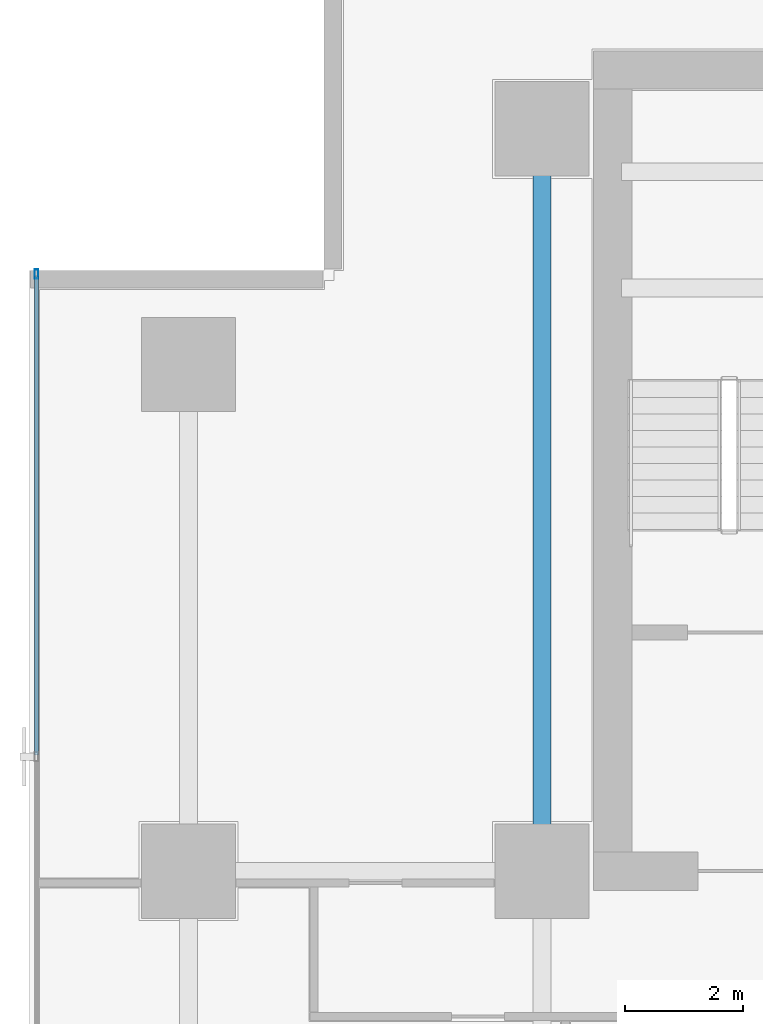
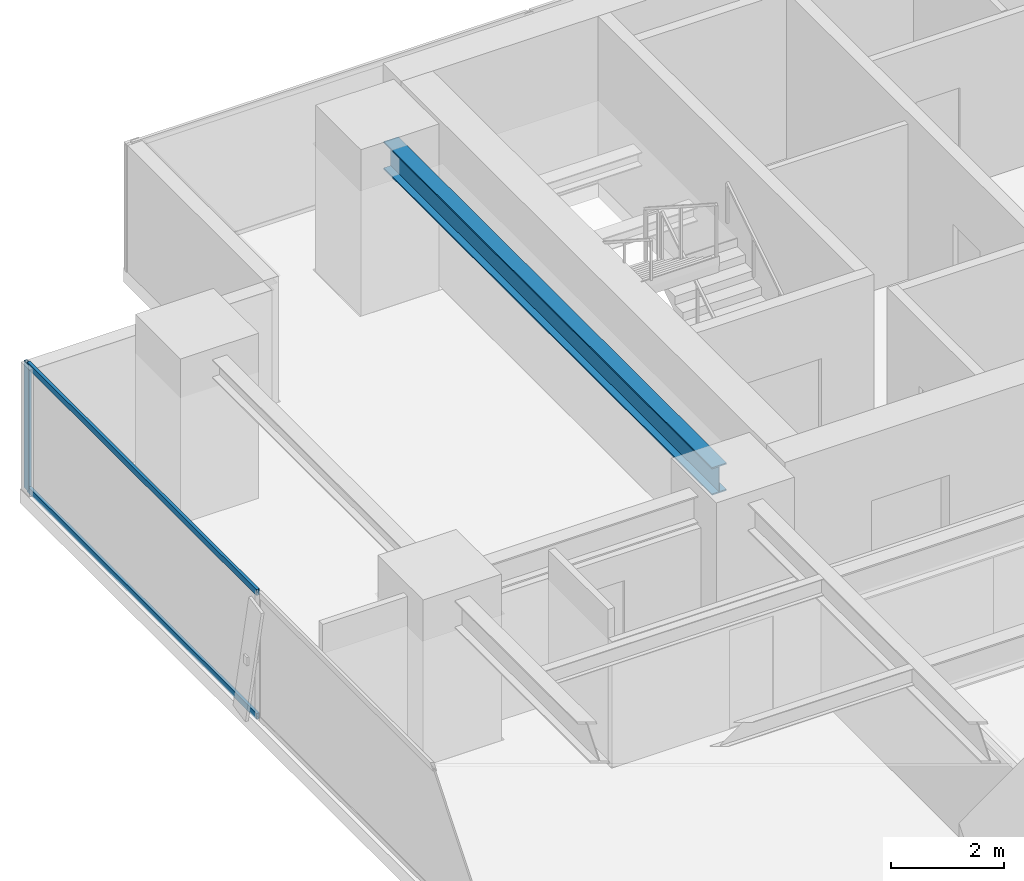
# One storey, part 18 of 36: 3 members, 1 beam, 1 element without a shape of its own.
"""IFC4 building model written with IfcOpenShell, lengths in metres."""

from ifc_helpers import new_model, si_unit, direction, frame, origin, origin_2d, place, context, subcontext, project, spatial, hollow_rectangle, i_section, extrude, source, transform, mapped, material, layer, layer_set, material_profile, profile_set, type_object, element, aggregate, save


model = new_model("IFC4")

# Units and contexts
model_context = context("Model", 3, precision=1e-05, world=origin(), true_north=direction((0.0, 1.0)))
body_context = subcontext(model_context, "Body", "Model", "MODEL_VIEW")
ifc_project = project(units=[si_unit("LENGTHUNIT", "METRE"), si_unit("AREAUNIT", "SQUARE_METRE"), si_unit("VOLUMEUNIT", "CUBIC_METRE"), si_unit("PLANEANGLEUNIT", "RADIAN"), si_unit("MASSUNIT", "GRAM", prefix="KILO")], contexts=[model_context])

# Site, building, storey
site_placement = place(None, origin())
site = spatial("IfcSite", under=ifc_project, at=site_placement, CompositionType="ELEMENT")
building_placement = place(site_placement, origin())
building = spatial("IfcBuilding", under=site, at=building_placement, Name="Sumidabori Civic Tower", CompositionType="ELEMENT")
storey_placement = place(building_placement, frame((0.0, 0.0, 77.60009765625)))
storey = spatial("IfcBuildingStorey", under=building, at=storey_placement, Name="L19", CompositionType="ELEMENT", Elevation=77.60009765625)

# Beam
ifc_material_1 = material(Name="Steel SN490", Category="steel")
ifc_material_profile_1 = material_profile(ifc_material_1, i_section(OverallWidth=0.300048828125, OverallDepth=0.60009765625, WebThickness=0.015380859375, FlangeThickness=0.030029296875, at=origin_2d()), Name="HE 600 B")
ifc_profile_set_1 = profile_set([ifc_material_profile_1], Name="Steel SN490")
beam_type = type_object("IfcBeamType", Name="BM-GIRD-600", PredefinedType="BEAM", material=ifc_profile_set_1)
shared_shape_1 = source(origin(), body_context, "Body", "SweptSolid", [
    extrude(i_section(OverallWidth=0.300048828125, OverallDepth=0.60009765625, WebThickness=0.015380859375, FlangeThickness=0.030029296875, at=origin_2d()), origin(), (0.0, 0.0, 1.0), 11.64013671875),
])
beam_placement = place(storey_placement, frame((-16.800048828125, 10.679931640625, 3.059814453125), z_axis=(0.0, 1.0, 0.0), x_axis=(-1.0, 0.0, 0.0)))
element("IfcBeam", 1, at=beam_placement, inside=storey, type_object=beam_type, Name="Primary Girder L19 GY-28", PredefinedType="BEAM", context=body_context, shape_type="MappedRepresentation", body=[
    mapped(shared_shape_1, transform((0.0, 0.0, 0.0), x_axis=(1.0, 0.0, 0.0), y_axis=(0.0, 1.0, 0.0), z_axis=(0.0, 0.0, 1.0), scale=1.0)),
])

# Curtain wall, members
ifc_material_2 = material(Name="Anodised Bronze Aluminium AW-6063-T6", Category="aluminium")
ifc_layer = layer(ifc_material_2, 0.179931640625, Name="Anodised Bronze Aluminium AW-6063-T6")
ifc_layer_set = layer_set([ifc_layer], Name="Anodised Bronze Aluminium AW-6063-T6")
curtain_wall_type = type_object("IfcCurtainWallType", Name="CW-SYS-3", PredefinedType="NOTDEFINED", material=ifc_layer_set)
curtain_wall_placement = place(storey_placement, origin())
curtain_wall = element("IfcCurtainWall", 2, at=curtain_wall_placement, inside=storey, type_object=curtain_wall_type, Name="Curtain Wall CW:L19:R10", PredefinedType="NOTDEFINED")
ifc_material_profile_2 = material_profile(ifc_material_2, hollow_rectangle(XDim=0.06494140625, YDim=0.159912109375, WallThickness=0.0048828125, at=origin_2d()), Name="ALU MULLION 160x65")
ifc_profile_set_2 = profile_set([ifc_material_profile_2], Name="Anodised Bronze Aluminium AW-6063-T6")
member_type_1 = type_object("IfcMemberType", Name="CW-MUL-160", PredefinedType="MULLION", material=ifc_profile_set_2)
shared_shape_2 = source(origin(), body_context, "Body", "SweptSolid", [
    extrude(hollow_rectangle(XDim=0.06494140625, YDim=0.159912109375, WallThickness=0.0048828125, at=origin_2d()), origin(), (0.0, 0.0, 1.0), 2.739990234375),
])
member_1_placement = place(storey_placement, frame((-25.3798828125, 20.33740234375, 0.0), z_axis=(0.0, 0.0, 1.0), x_axis=(1.0, 0.0, 0.0)))
member_1 = element("IfcMember", 3, at=member_1_placement, type_object=member_type_1, Name="CW-3 mullion 1", PredefinedType="MULLION", context=body_context, shape_type="MappedRepresentation", body=[
    mapped(shared_shape_2, transform((0.0, 0.0, 0.0), x_axis=(1.0, 0.0, 0.0), y_axis=(0.0, 1.0, 0.0), z_axis=(0.0, 0.0, 1.0), scale=1.0)),
])
ifc_material_profile_3 = material_profile(ifc_material_2, hollow_rectangle(XDim=0.06005859375, YDim=0.1298828125, WallThickness=0.0048828125, at=origin_2d()), Name="ALU TRANSOM 130x60")
ifc_profile_set_3 = profile_set([ifc_material_profile_3], Name="Anodised Bronze Aluminium AW-6063-T6")
member_type_2 = type_object("IfcMemberType", Name="CW-TRN-130", PredefinedType="USERDEFINED", material=ifc_profile_set_3)
shared_shape_3 = source(origin(), body_context, "Body", "SweptSolid", [
    extrude(hollow_rectangle(XDim=0.06005859375, YDim=0.1298828125, WallThickness=0.0048828125, at=origin_2d()), origin(), (0.0, 0.0, 1.0), 8.13037109375),
])
member_2_placement = place(storey_placement, frame((-25.3798828125, 20.304931640625, 0.02978515625), z_axis=(0.0, -1.0, 0.0), x_axis=(1.0, 0.0, 0.0)))
member_2 = element("IfcMember", 4, at=member_2_placement, type_object=member_type_2, Name="CW-3 transom 1.1", ObjectType="TRANSOM", PredefinedType="USERDEFINED", context=body_context, shape_type="MappedRepresentation", body=[
    mapped(shared_shape_3, transform((0.0, 0.0, 0.0), x_axis=(1.0, 0.0, 0.0), y_axis=(0.0, 1.0, 0.0), z_axis=(0.0, 0.0, 1.0), scale=1.0)),
])
member_3_placement = place(storey_placement, frame((-25.3798828125, 20.304931640625, 2.7099609375), z_axis=(0.0, -1.0, 0.0), x_axis=(1.0, 0.0, 0.0)))
member_3 = element("IfcMember", 5, at=member_3_placement, type_object=member_type_2, Name="CW-3 transom 1.2", ObjectType="TRANSOM", PredefinedType="USERDEFINED", context=body_context, shape_type="MappedRepresentation", body=[
    mapped(shared_shape_3, transform((0.0, 0.0, 0.0), x_axis=(1.0, 0.0, 0.0), y_axis=(0.0, 1.0, 0.0), z_axis=(0.0, 0.0, 1.0), scale=1.0)),
])
aggregate(curtain_wall, [member_1, member_2, member_3])

save(model, "model.ifc")
